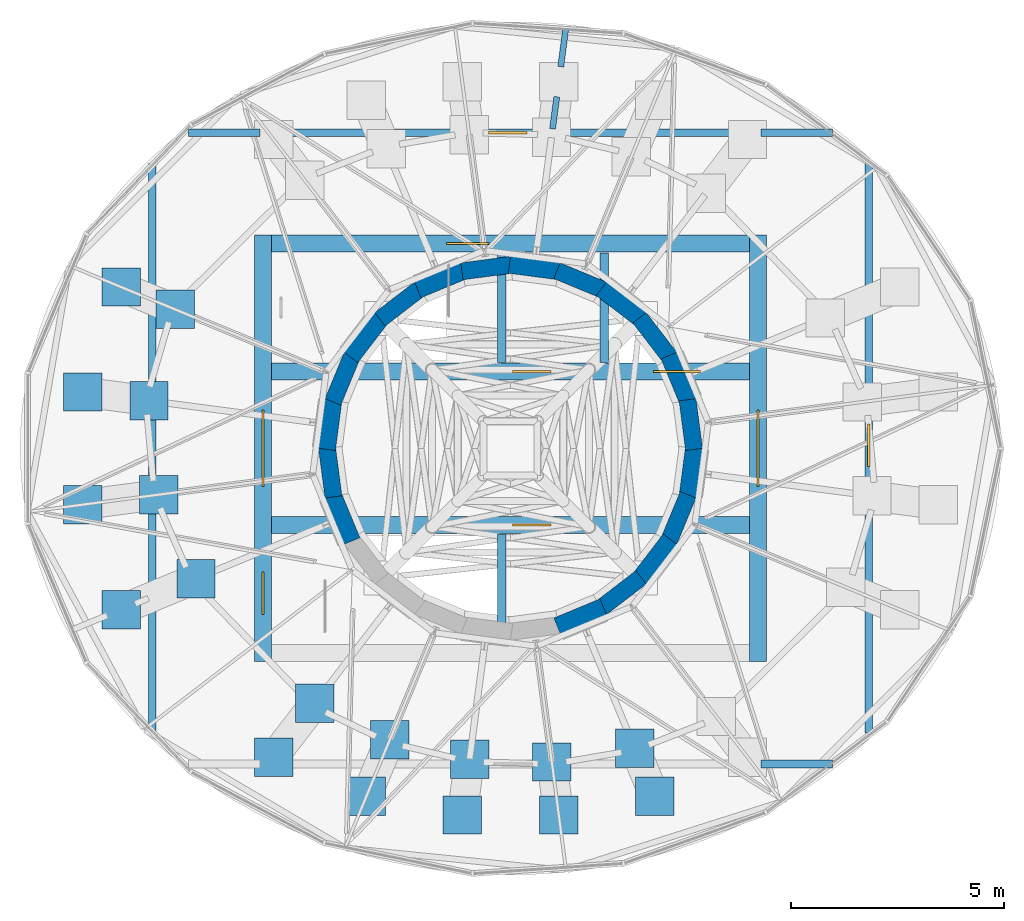
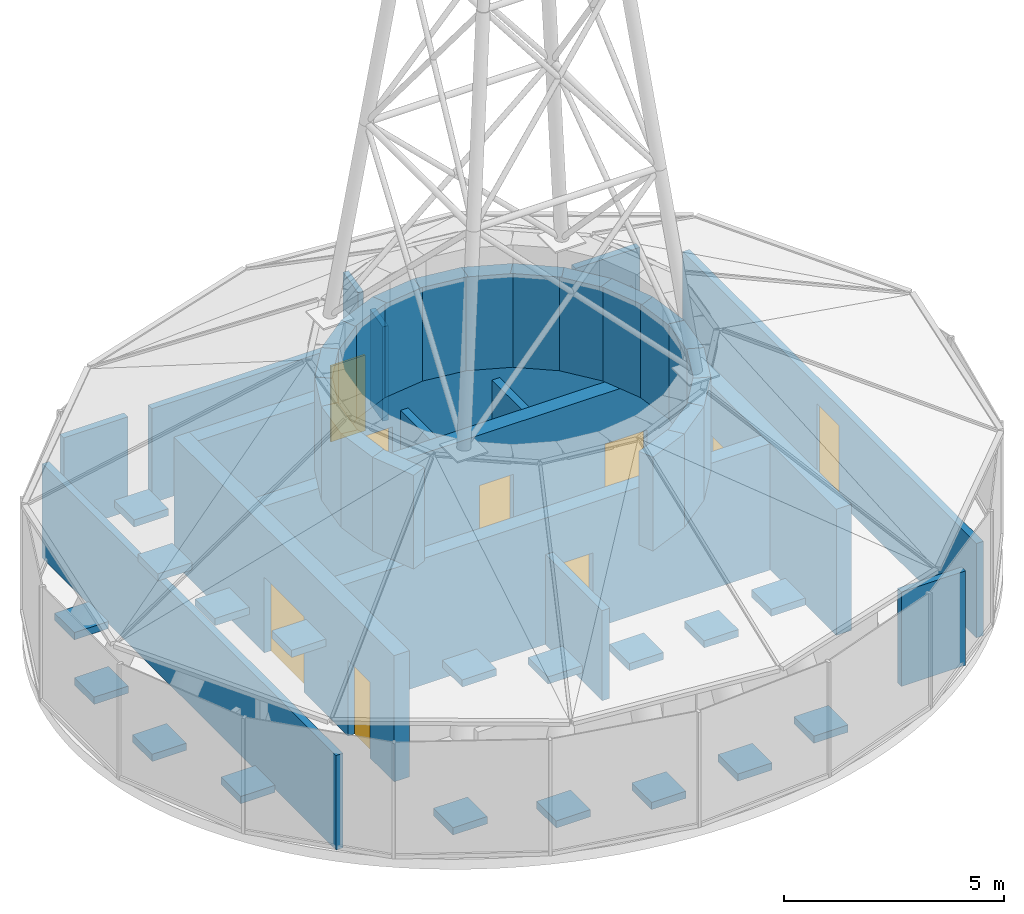
# One storey, part 7 of 10: 35 walls, 18 discrete accessories, 9 doors, 9 openings.
"""IFC4 building model written with IfcOpenShell, lengths in metres."""

from ifc_helpers import new_model, si_unit, direction, frame, frame_2d, origin, origin_2d, place, context, subcontext, project, spatial, rectangle, extrude, source, transform, mapped, material, layer, layer_set, type_object, element, fill, save


model = new_model("IFC4")

# Units and contexts
model_context = context("Model", 3, precision=1e-05, world=origin(), true_north=direction((0.0, 1.0)))
body_context = subcontext(model_context, "Body", "Model", "MODEL_VIEW")
ifc_project = project(units=[si_unit("LENGTHUNIT", "METRE"), si_unit("AREAUNIT", "SQUARE_METRE"), si_unit("VOLUMEUNIT", "CUBIC_METRE"), si_unit("PLANEANGLEUNIT", "RADIAN"), si_unit("MASSUNIT", "GRAM", prefix="KILO")], contexts=[model_context])

# Site, building, storey
site_placement = place(None, origin())
site = spatial("IfcSite", under=ifc_project, at=site_placement, CompositionType="ELEMENT")
building_placement = place(site_placement, origin())
building = spatial("IfcBuilding", under=site, at=building_placement, Name="Spindrift Exchange Tower", CompositionType="ELEMENT")
storey_placement = place(building_placement, frame((0.0, 0.0, 287.10009765625)))
storey = spatial("IfcBuildingStorey", under=building, at=storey_placement, Name="L71", CompositionType="ELEMENT", Elevation=287.10009765625)

# Wall, opening, door
ifc_material_1 = material(Name="Concrete 40 MPa", Category="concrete")
ifc_layer_1 = layer(ifc_material_1, 0.39990234375)
ifc_layer_set_1 = layer_set([ifc_layer_1], Name="RC Core Wall 400 Concrete 40 MPa")
wall_type_1 = type_object("IfcWallType", Name="RC Core Wall 400 Concrete 40 MPa", PredefinedType="SHEAR", material=ifc_layer_set_1)
wall_1_placement = place(storey_placement, frame((57.800048828125, 43.0, 0.0), z_axis=(0.0, 0.0, 1.0), x_axis=(0.0, 1.0, 0.0)))
wall_1 = element("IfcWall", 1, at=wall_1_placement, inside=storey, type_object=wall_type_1, Name="Core wall E L71", PredefinedType="SHEAR", context=body_context, shape_type="SweptSolid", body=[
    extrude(rectangle(XDim=10.0, YDim=0.39990234375, at=frame_2d((5.0, 0.0))), origin(), (0.0, 0.0, 1.0), 3.5),
])
opening_1_placement = place(wall_1_placement, frame((4.10009765625, 0.0, 0.0)))
opening_1 = element("IfcOpeningElement", 2, at=opening_1_placement, cuts=wall_1, Name="Opening L71-D2", PredefinedType="OPENING", context=body_context, shape_type="SweptSolid", body=[
    extrude(rectangle(XDim=1.800048828125, YDim=2.10009765625, at=frame_2d((0.89990234375, 1.050048828125))), frame((0.0, 0.2099609375, 0.0), z_axis=(0.0, -1.0, 0.0), x_axis=(1.0, 0.0, 0.0)), (0.0, 0.0, 1.0), 0.419921875),
])
ifc_material_2 = material(Name="Timber-core fire door", Category="wood")
door_type_1 = type_object("IfcDoorType", Name="DR-LOBBY-1800", OperationType="NOTDEFINED", PredefinedType="DOOR", material=ifc_material_2)
shared_shape_1 = source(origin(), body_context, "Body", "SweptSolid", [
    extrude(rectangle(XDim=1.800048828125, YDim=2.10009765625, at=frame_2d((0.89990234375, 1.050048828125))), frame((0.0, 0.02490234375, 0.0), z_axis=(0.0, -1.0, 0.0), x_axis=(1.0, 0.0, 0.0)), (0.0, 0.0, 1.0), 0.050048828125),
])
door_1_placement = place(opening_1_placement, origin())
door_1 = element("IfcDoor", 3, at=door_1_placement, inside=storey, type_object=door_type_1, Name="L71 Lobby door 2", OperationType="SINGLE_SWING_LEFT", OverallHeight=2.10009765625, OverallWidth=1.800048828125, PredefinedType="DOOR", context=body_context, shape_type="MappedRepresentation", body=[
    mapped(shared_shape_1, transform((0.0, 0.0, 0.0), scale=1.0)),
])
fill(opening_1, door_1)

# Wall, openings, doors
wall_2_placement = place(storey_placement, frame((46.199951171875, 53.0, 0.0), z_axis=(0.0, 0.0, 1.0), x_axis=(0.0, -1.0, 0.0)))
wall_2 = element("IfcWall", 4, at=wall_2_placement, inside=storey, type_object=wall_type_1, Name="Core wall W L71", PredefinedType="SHEAR", context=body_context, shape_type="SweptSolid", body=[
    extrude(rectangle(XDim=10.0, YDim=0.39990234375, at=frame_2d((5.0, 0.0))), origin(), (0.0, 0.0, 1.0), 3.5),
])
opening_2_placement = place(wall_2_placement, frame((4.10009765625, 0.0, 0.0)))
opening_2 = element("IfcOpeningElement", 5, at=opening_2_placement, cuts=wall_2, Name="Opening L71-D1", PredefinedType="OPENING", context=body_context, shape_type="SweptSolid", body=[
    extrude(rectangle(XDim=1.800048828125, YDim=2.10009765625, at=frame_2d((0.89990234375, 1.050048828125))), frame((0.0, 0.2099609375, 0.0), z_axis=(0.0, -1.0, 0.0), x_axis=(1.0, 0.0, 0.0)), (0.0, 0.0, 1.0), 0.419921875),
])
opening_3_placement = place(wall_2_placement, frame((7.89990234375, 0.0, 0.0)))
opening_3 = element("IfcOpeningElement", 6, at=opening_3_placement, cuts=wall_2, Name="Opening L71-D4", PredefinedType="OPENING", context=body_context, shape_type="SweptSolid", body=[
    extrude(rectangle(XDim=1.0, YDim=2.10009765625, at=frame_2d((0.5, 1.050048828125))), frame((0.0, 0.2099609375, 0.0), z_axis=(0.0, -1.0, 0.0), x_axis=(1.0, 0.0, 0.0)), (0.0, 0.0, 1.0), 0.419921875),
])
door_2_placement = place(opening_2_placement, origin())
door_2 = element("IfcDoor", 7, at=door_2_placement, inside=storey, type_object=door_type_1, Name="L71 Lobby door 1", OperationType="SINGLE_SWING_RIGHT", OverallHeight=2.10009765625, OverallWidth=1.800048828125, PredefinedType="DOOR", context=body_context, shape_type="MappedRepresentation", body=[
    mapped(shared_shape_1, transform((0.0, 0.0, 0.0), scale=1.0)),
])
fill(opening_2, door_2)
ifc_material_3 = material(Name="Steel fire door", Category="steel")
door_type_2 = type_object("IfcDoorType", Name="DR-STAIR-1000", OperationType="NOTDEFINED", PredefinedType="DOOR", material=ifc_material_3)
shared_shape_2 = source(origin(), body_context, "Body", "SweptSolid", [
    extrude(rectangle(XDim=1.0, YDim=2.10009765625, at=frame_2d((0.5, 1.050048828125))), frame((0.0, 0.02490234375, 0.0), z_axis=(0.0, -1.0, 0.0), x_axis=(1.0, 0.0, 0.0)), (0.0, 0.0, 1.0), 0.050048828125),
])
door_3_placement = place(opening_3_placement, origin())
door_3 = element("IfcDoor", 8, at=door_3_placement, inside=storey, type_object=door_type_2, Name="L71 Stair door 4", OperationType="SINGLE_SWING_LEFT", OverallHeight=2.10009765625, OverallWidth=1.0, PredefinedType="DOOR", context=body_context, shape_type="MappedRepresentation", body=[
    mapped(shared_shape_2, transform((0.0, 0.0, 0.0), scale=1.0)),
])
fill(opening_3, door_3)

# Wall, opening, door
wall_3_placement = place(storey_placement, frame((57.60009765625, 52.800048828125, 0.0), z_axis=(0.0, 0.0, 1.0), x_axis=(-1.0, 0.0, 0.0)))
wall_3 = element("IfcWall", 9, at=wall_3_placement, inside=storey, type_object=wall_type_1, Name="Core wall N L71", PredefinedType="SHEAR", context=body_context, shape_type="SweptSolid", body=[
    extrude(rectangle(XDim=11.2001953125, YDim=0.39990234375, at=frame_2d((5.60009765625, 0.0))), origin(), (0.0, 0.0, 1.0), 3.5),
])
opening_4_placement = place(wall_3_placement, frame((6.10009765625, 0.0, 0.0)))
opening_4 = element("IfcOpeningElement", 10, at=opening_4_placement, cuts=wall_3, Name="Opening L71-D3", PredefinedType="OPENING", context=body_context, shape_type="SweptSolid", body=[
    extrude(rectangle(XDim=1.0, YDim=2.10009765625, at=frame_2d((0.5, 1.050048828125))), frame((0.0, 0.2099609375, 0.0), z_axis=(0.0, -1.0, 0.0), x_axis=(1.0, 0.0, 0.0)), (0.0, 0.0, 1.0), 0.419921875),
])
door_4_placement = place(opening_4_placement, origin())
door_4 = element("IfcDoor", 11, at=door_4_placement, inside=storey, type_object=door_type_2, Name="L71 Stair door 3", OperationType="SINGLE_SWING_RIGHT", OverallHeight=2.10009765625, OverallWidth=1.0, PredefinedType="DOOR", context=body_context, shape_type="MappedRepresentation", body=[
    mapped(shared_shape_2, transform((0.0, 0.0, 0.0), scale=1.0)),
])
fill(opening_4, door_4)

# Walls
ifc_layer_2 = layer(ifc_material_1, 0.39990234375)
ifc_layer_set_2 = layer_set([ifc_layer_2], Name="RC Drum Wall 400 Concrete 40 MPa")
wall_type_2 = type_object("IfcWallType", Name="RC Drum Wall 400 Concrete 40 MPa", PredefinedType="SOLIDWALL", material=ifc_layer_set_2)
for number, where, z_axis, x_axis, name in (
    (12, (56.303466796875, 47.973876953125, 3.5), (0.0, 0.0, 1.0), (-0.130680229342, 0.991424569828, 0.0), "Plant drum wall 01"),
    (13, (56.16357421875, 49.088623046875, 3.5), (0.0, 0.0, 1.0), (-0.382682064828, 0.923880098963, 0.0), "Plant drum wall 02"),
    (14, (55.739990234375, 50.129150390625, 3.5), (0.0, 0.0, 1.0), (-0.608937365608, 0.793218308391, 0.0), "Plant drum wall 03"),
    (15, (55.061279296875, 51.0244140625, 3.5), (0.0, 0.0, 1.0), (-0.793218308391, 0.608937365608, 0.0), "Plant drum wall 04"),
    (16, (54.17431640625, 51.7138671875, 3.5), (0.0, 0.0, 1.0), (-0.923880098963, 0.382682064828, 0.0), "Plant drum wall 05"),
    (17, (53.138916015625, 52.14990234375, 3.5), (0.0, 0.0, 1.0), (-0.991424569828, 0.130680229342, 0.0), "Plant drum wall 06"),
    (18, (52.026123046875, 52.303466796875, 3.5), (0.0, 0.0, 1.0), (-0.991424569828, -0.130680229342, 0.0), "Plant drum wall 07"),
    (19, (50.911376953125, 52.16357421875, 3.5), (0.0, 0.0, 1.0), (-0.923880098963, -0.382682064828, 0.0), "Plant drum wall 08"),
    (20, (49.870849609375, 51.739990234375, 3.5), (0.0, 0.0, 1.0), (-0.793218308391, -0.608937365608, 0.0), "Plant drum wall 09"),
    (21, (48.9755859375, 51.061279296875, 3.5), (0.0, 0.0, 1.0), (-0.608937365608, -0.793218308391, 0.0), "Plant drum wall 10"),
    (22, (48.2861328125, 50.17431640625, 3.5), (0.0, 0.0, 1.0), (-0.382682064828, -0.923880098963, 0.0), "Plant drum wall 11"),
    (23, (47.85009765625, 49.138916015625, 3.5), (0.0, 0.0, 1.0), (-0.130680229342, -0.991424569828, 0.0), "Plant drum wall 12"),
    (24, (47.696533203125, 48.026123046875, 3.5), (0.0, 0.0, 1.0), (0.130680229342, -0.991424569828, 0.0), "Plant drum wall 13"),
    (25, (47.83642578125, 46.911376953125, 3.5), (0.0, 0.0, 1.0), (0.382682064828, -0.923880098963, 0.0), "Plant drum wall 14"),
    (26, (53.088623046875, 43.83642578125, 3.5), (0.0, 0.0, 1.0), (0.923880098963, 0.382682064828, 0.0), "Plant drum wall 20"),
    (27, (54.129150390625, 44.260009765625, 3.5), (0.0, 0.0, 1.0), (0.793218308391, 0.608937365608, 0.0), "Plant drum wall 21"),
    (28, (55.0244140625, 44.938720703125, 3.5), (0.0, 0.0, 1.0), (0.608937365608, 0.793218308391, 0.0), "Plant drum wall 22"),
    (29, (55.7138671875, 45.82568359375, 3.5), (0.0, 0.0, 1.0), (0.382682064828, 0.923880098963, 0.0), "Plant drum wall 23"),
    (30, (56.14990234375, 46.861083984375, 3.5), (0.0, 0.0, 1.0), (0.130680229342, 0.991424569828, 0.0), "Plant drum wall 24"),
):
    element("IfcWall", number, at=place(storey_placement, frame(where, z_axis=z_axis, x_axis=x_axis)), inside=storey, type_object=wall_type_2, Name=name, PredefinedType="SOLIDWALL", context=body_context, shape_type="SweptSolid", body=[
        extrude(rectangle(XDim=1.175048828125, YDim=0.39990234375, at=frame_2d((0.58740234375, 0.0))), origin(), (0.0, 0.0, 1.0), 2.599853515625),
    ])

# Wall, openings, doors
ifc_layer_3 = layer(ifc_material_1, 0.39990234375)
ifc_layer_set_3 = layer_set([ifc_layer_3], Name="RC Spine Wall 400 Concrete 40 MPa")
wall_type_3 = type_object("IfcWallType", Name="RC Spine Wall 400 Concrete 40 MPa", PredefinedType="SHEAR", material=ifc_layer_set_3)
wall_4_placement = place(storey_placement, frame((46.39990234375, 49.800048828125, 0.0), z_axis=(0.0, 0.0, 1.0), x_axis=(1.0, 0.0, 0.0)))
wall_4 = element("IfcWall", 31, at=wall_4_placement, inside=storey, type_object=wall_type_3, Name="Core spine wall N L71", PredefinedType="SHEAR", context=body_context, shape_type="SweptSolid", body=[
    extrude(rectangle(XDim=11.2001953125, YDim=0.39990234375, at=frame_2d((5.60009765625, 0.0))), origin(), (0.0, 0.0, 1.0), 3.5),
])
opening_5_placement = place(wall_4_placement, frame((8.949951171875, 0.0, 0.0)))
opening_5 = element("IfcOpeningElement", 32, at=opening_5_placement, cuts=wall_4, Name="Opening L71-D5", PredefinedType="OPENING", context=body_context, shape_type="SweptSolid", body=[
    extrude(rectangle(XDim=1.10009765625, YDim=2.10009765625, at=frame_2d((0.550048828125, 1.050048828125))), frame((0.0, 0.2099609375, 0.0), z_axis=(0.0, -1.0, 0.0), x_axis=(1.0, 0.0, 0.0)), (0.0, 0.0, 1.0), 0.419921875),
])
opening_6_placement = place(wall_4_placement, frame((5.64990234375, 0.0, 0.0)))
opening_6 = element("IfcOpeningElement", 33, at=opening_6_placement, cuts=wall_4, Name="Opening L71-D9", PredefinedType="OPENING", context=body_context, shape_type="SweptSolid", body=[
    extrude(rectangle(XDim=0.89990234375, YDim=2.10009765625, at=frame_2d((0.449951171875, 1.050048828125))), frame((0.0, 0.2099609375, 0.0), z_axis=(0.0, -1.0, 0.0), x_axis=(1.0, 0.0, 0.0)), (0.0, 0.0, 1.0), 0.419921875),
])
ifc_material_4 = material(Name="Stainless steel landing door", Category="steel")
door_type_3 = type_object("IfcDoorType", Name="DR-LANDING-1100-SL", OperationType="DOUBLE_DOOR_SLIDING", PredefinedType="USERDEFINED", material=ifc_material_4)
shared_shape_3 = source(origin(), body_context, "Body", "SweptSolid", [
    extrude(rectangle(XDim=1.10009765625, YDim=2.10009765625, at=frame_2d((0.550048828125, 1.050048828125))), frame((0.0, 0.02490234375, 0.0), z_axis=(0.0, -1.0, 0.0), x_axis=(1.0, 0.0, 0.0)), (0.0, 0.0, 1.0), 0.050048828125),
])
door_5_placement = place(opening_5_placement, origin())
door_5 = element("IfcDoor", 34, at=door_5_placement, inside=storey, type_object=door_type_3, Name="L71 Lift landing door 5", ObjectType="LANDING DOOR", OperationType="DOUBLE_DOOR_SLIDING", OverallHeight=2.10009765625, OverallWidth=1.10009765625, PredefinedType="USERDEFINED", context=body_context, shape_type="MappedRepresentation", body=[
    mapped(shared_shape_3, transform((0.0, 0.0, 0.0), scale=1.0)),
])
fill(opening_5, door_5)
ifc_material_5 = material(Name="Steel access door", Category="steel")
door_type_4 = type_object("IfcDoorType", Name="DR-RISER-900", OperationType="NOTDEFINED", PredefinedType="DOOR", material=ifc_material_5)
shared_shape_4 = source(origin(), body_context, "Body", "SweptSolid", [
    extrude(rectangle(XDim=0.89990234375, YDim=2.10009765625, at=frame_2d((0.449951171875, 1.050048828125))), frame((0.0, 0.02490234375, 0.0), z_axis=(0.0, -1.0, 0.0), x_axis=(1.0, 0.0, 0.0)), (0.0, 0.0, 1.0), 0.050048828125),
])
door_6_placement = place(opening_6_placement, origin())
door_6 = element("IfcDoor", 35, at=door_6_placement, inside=storey, type_object=door_type_4, Name="L71 Riser door 9", OperationType="SINGLE_SWING_LEFT", OverallHeight=2.10009765625, OverallWidth=0.89990234375, PredefinedType="DOOR", context=body_context, shape_type="MappedRepresentation", body=[
    mapped(shared_shape_4, transform((0.0, 0.0, 0.0), scale=1.0)),
])
fill(opening_6, door_6)

# Wall, opening, door
wall_5_placement = place(storey_placement, frame((46.39990234375, 46.199951171875, 0.0), z_axis=(0.0, 0.0, 1.0), x_axis=(1.0, 0.0, 0.0)))
wall_5 = element("IfcWall", 36, at=wall_5_placement, inside=storey, type_object=wall_type_3, Name="Core spine wall S L71", PredefinedType="SHEAR", context=body_context, shape_type="SweptSolid", body=[
    extrude(rectangle(XDim=11.2001953125, YDim=0.39990234375, at=frame_2d((5.60009765625, 0.0))), origin(), (0.0, 0.0, 1.0), 3.5),
])
opening_7_placement = place(wall_5_placement, frame((5.64990234375, 0.0, 0.0)))
opening_7 = element("IfcOpeningElement", 37, at=opening_7_placement, cuts=wall_5, Name="Opening L71-D10", PredefinedType="OPENING", context=body_context, shape_type="SweptSolid", body=[
    extrude(rectangle(XDim=0.89990234375, YDim=2.10009765625, at=frame_2d((0.449951171875, 1.050048828125))), frame((0.0, 0.2099609375, 0.0), z_axis=(0.0, -1.0, 0.0), x_axis=(1.0, 0.0, 0.0)), (0.0, 0.0, 1.0), 0.419921875),
])
door_7_placement = place(opening_7_placement, origin())
door_7 = element("IfcDoor", 38, at=door_7_placement, inside=storey, type_object=door_type_4, Name="L71 Riser door 10", OperationType="SINGLE_SWING_RIGHT", OverallHeight=2.10009765625, OverallWidth=0.89990234375, PredefinedType="DOOR", context=body_context, shape_type="MappedRepresentation", body=[
    mapped(shared_shape_4, transform((0.0, 0.0, 0.0), scale=1.0)),
])
fill(opening_7, door_7)

# Walls
ifc_material_6 = material(Name="Fire-rated plasterboard partition", Category="gypsum")
ifc_layer_4 = layer(ifc_material_6, 0.179931640625)
ifc_layer_set_4 = layer_set([ifc_layer_4], Name="W-CORR-180")
wall_type_4 = type_object("IfcWallType", Name="W-CORR-180", PredefinedType="PARTITIONING", material=ifc_layer_set_4)
wall_6_placement = place(storey_placement, frame((43.60009765625, 54.677001953125, 0.0), z_axis=(0.0, 0.0, 1.0), x_axis=(0.0, -1.0, 0.0)))
element("IfcWall", 39, at=wall_6_placement, inside=storey, type_object=wall_type_4, Name="L71 Partition wall 4", PredefinedType="PARTITIONING", context=body_context, shape_type="SweptSolid", body=[
    extrude(rectangle(XDim=13.35400390625, YDim=0.179931640625, at=frame_2d((6.677001953125, 0.0))), origin(), (0.0, 0.0, 1.0), 2.619873046875),
])
wall_7_placement = place(storey_placement, frame((59.5537109375, 55.39990234375, 0.0), z_axis=(0.0, 0.0, 1.0), x_axis=(-1.0, 0.0, 0.0)))
element("IfcWall", 40, at=wall_7_placement, inside=storey, type_object=wall_type_4, Name="L71 Partition wall 11", PredefinedType="PARTITIONING", context=body_context, shape_type="SweptSolid", body=[
    extrude(rectangle(XDim=1.682373046875, YDim=0.179931640625, at=frame_2d((0.84130859375, 0.0))), origin(), (0.0, 0.0, 1.0), 2.619873046875),
])
ifc_layer_5 = layer(ifc_material_6, 0.139892578125)
ifc_layer_set_5 = layer_set([ifc_layer_5], Name="W-PLANT-140")
wall_type_5 = type_object("IfcWallType", Name="W-PLANT-140", PredefinedType="PARTITIONING", material=ifc_layer_set_5)
wall_8_placement = place(storey_placement, frame((53.177978515625, 56.94775390625, 0.0), z_axis=(0.0, 0.0, 1.0), x_axis=(0.130647017199, 0.991428946973, 0.0)))
element("IfcWall", 41, at=wall_8_placement, inside=storey, type_object=wall_type_5, Name="L71 Partition wall 13", PredefinedType="PARTITIONING", context=body_context, shape_type="SweptSolid", body=[
    extrude(rectangle(XDim=0.8857421875, YDim=0.139892578125, at=frame_2d((0.44287109375, 0.0))), origin(), (0.0, 0.0, 1.0), 2.619873046875),
])
wall_9_placement = place(storey_placement, frame((52.986083984375, 55.489990234375, 0.0), z_axis=(0.0, 0.0, 1.0), x_axis=(0.130587308426, 0.991436813356, 0.0)))
element("IfcWall", 42, at=wall_9_placement, inside=storey, type_object=wall_type_5, Name="L71 Partition wall 14", PredefinedType="PARTITIONING", context=body_context, shape_type="SweptSolid", body=[
    extrude(rectangle(XDim=0.760986328125, YDim=0.139892578125, at=frame_2d((0.38037109375, 0.0))), origin(), (0.0, 0.0, 1.0), 2.619873046875),
])

# Wall, opening, door
ifc_layer_6 = layer(ifc_material_6, 0.179931640625)
ifc_layer_set_6 = layer_set([ifc_layer_6], Name="W-PLANT-180")
wall_type_6 = type_object("IfcWallType", Name="W-PLANT-180", PredefinedType="PARTITIONING", material=ifc_layer_set_6)
wall_10_placement = place(storey_placement, frame((60.39990234375, 54.677001953125, 0.0), z_axis=(0.0, 0.0, 1.0), x_axis=(0.0, -1.0, 0.0)))
wall_10 = element("IfcWall", 43, at=wall_10_placement, inside=storey, type_object=wall_type_6, Name="L71 Partition wall 5", PredefinedType="PARTITIONING", context=body_context, shape_type="SweptSolid", body=[
    extrude(rectangle(XDim=13.35400390625, YDim=0.179931640625, at=frame_2d((6.677001953125, 0.0))), origin(), (0.0, 0.0, 1.0), 2.619873046875),
])
opening_8_placement = place(wall_10_placement, frame((6.10400390625, 0.0, 0.0)))
opening_8 = element("IfcOpeningElement", 44, at=opening_8_placement, cuts=wall_10, Name="Opening L71-D7", PredefinedType="OPENING", context=body_context, shape_type="SweptSolid", body=[
    extrude(rectangle(XDim=1.0, YDim=2.10009765625, at=frame_2d((0.5, 1.050048828125))), frame((0.0, 0.099853515625, 0.0), z_axis=(0.0, -1.0, 0.0), x_axis=(1.0, 0.0, 0.0)), (0.0, 0.0, 1.0), 0.199951171875),
])
door_type_5 = type_object("IfcDoorType", Name="DR-ROOM-1000", OperationType="NOTDEFINED", PredefinedType="DOOR", material=ifc_material_2)
shared_shape_5 = source(origin(), body_context, "Body", "SweptSolid", [
    extrude(rectangle(XDim=1.0, YDim=2.10009765625, at=frame_2d((0.5, 1.050048828125))), frame((0.0, 0.02490234375, 0.0), z_axis=(0.0, -1.0, 0.0), x_axis=(1.0, 0.0, 0.0)), (0.0, 0.0, 1.0), 0.050048828125),
])
door_8_placement = place(opening_8_placement, origin())
door_8 = element("IfcDoor", 45, at=door_8_placement, inside=storey, type_object=door_type_5, Name="L71 Door 7", OperationType="SINGLE_SWING_LEFT", OverallHeight=2.10009765625, OverallWidth=1.0, PredefinedType="DOOR", context=body_context, shape_type="MappedRepresentation", body=[
    mapped(shared_shape_5, transform((0.0, 0.0, 0.0), scale=1.0)),
])
fill(opening_8, door_8)

wall_11_placement = place(storey_placement, frame((46.76123046875, 55.39990234375, 0.0), z_axis=(0.0, 0.0, 1.0), x_axis=(1.0, 0.0, 0.0)))
wall_11 = element("IfcWall", 46, at=wall_11_placement, inside=storey, type_object=wall_type_6, Name="L71 Partition wall 7", PredefinedType="PARTITIONING", context=body_context, shape_type="SweptSolid", body=[
    extrude(rectangle(XDim=10.4775390625, YDim=0.179931640625, at=frame_2d((5.23876953125, 0.0))), origin(), (0.0, 0.0, 1.0), 2.619873046875),
])
opening_9_placement = place(wall_11_placement, frame((4.7275390625, 0.0, 0.0)))
opening_9 = element("IfcOpeningElement", 47, at=opening_9_placement, cuts=wall_11, Name="Opening L71-D8", PredefinedType="OPENING", context=body_context, shape_type="SweptSolid", body=[
    extrude(rectangle(XDim=0.89990234375, YDim=2.10009765625, at=frame_2d((0.449951171875, 1.050048828125))), frame((0.0, 0.099853515625, 0.0), z_axis=(0.0, -1.0, 0.0), x_axis=(1.0, 0.0, 0.0)), (0.0, 0.0, 1.0), 0.199951171875),
])
door_type_6 = type_object("IfcDoorType", Name="DR-ROOM-900", OperationType="NOTDEFINED", PredefinedType="DOOR", material=ifc_material_2)
shared_shape_6 = source(origin(), body_context, "Body", "SweptSolid", [
    extrude(rectangle(XDim=0.89990234375, YDim=2.10009765625, at=frame_2d((0.449951171875, 1.050048828125))), frame((0.0, 0.02490234375, 0.0), z_axis=(0.0, -1.0, 0.0), x_axis=(1.0, 0.0, 0.0)), (0.0, 0.0, 1.0), 0.050048828125),
])
door_9_placement = place(opening_9_placement, origin())
door_9 = element("IfcDoor", 48, at=door_9_placement, inside=storey, type_object=door_type_6, Name="L71 Door 8", OperationType="SINGLE_SWING_RIGHT", OverallHeight=2.10009765625, OverallWidth=0.89990234375, PredefinedType="DOOR", context=body_context, shape_type="MappedRepresentation", body=[
    mapped(shared_shape_6, transform((0.0, 0.0, 0.0), scale=1.0)),
])
fill(opening_9, door_9)

# Walls
for number, where, z_axis, x_axis, name in (
    (49, (46.128662109375, 55.39990234375, 0.0), (0.0, 0.0, 1.0), (-1.0, 0.0, 0.0), "L71 Partition wall 9"),
    (50, (57.871337890625, 40.60009765625, 0.0), (0.0, 0.0, 1.0), (1.0, 0.0, 0.0), "L71 Partition wall 10"),
):
    element("IfcWall", number, at=place(storey_placement, frame(where, z_axis=z_axis, x_axis=x_axis)), inside=storey, type_object=wall_type_6, Name=name, PredefinedType="PARTITIONING", context=body_context, shape_type="SweptSolid", body=[
        extrude(rectangle(XDim=1.682373046875, YDim=0.179931640625, at=frame_2d((0.84130859375, 0.0))), origin(), (0.0, 0.0, 1.0), 2.619873046875),
    ])
ifc_layer_7 = layer(ifc_material_1, 0.199951171875)
ifc_layer_set_7 = layer_set([ifc_layer_7], Name="W-SHAFT-200")
wall_type_7 = type_object("IfcWallType", Name="W-SHAFT-200", PredefinedType="SOLIDWALL", material=ifc_layer_set_7)
wall_12_placement = place(storey_placement, frame((54.199951171875, 52.580078125, 0.0), z_axis=(0.0, 0.0, 1.0), x_axis=(0.0, -1.0, 0.0)))
element("IfcWall", 51, at=wall_12_placement, inside=storey, type_object=wall_type_7, Name="L71 Shaft wall 3", PredefinedType="SOLIDWALL", context=body_context, shape_type="SweptSolid", body=[
    extrude(rectangle(XDim=2.570068359375, YDim=0.199951171875, at=frame_2d((1.28515625, 0.0))), origin(), (0.0, 0.0, 1.0), 2.5),
])
ifc_layer_8 = layer(ifc_material_1, 0.199951171875)
ifc_layer_set_8 = layer_set([ifc_layer_8], Name="W-SHAFT-200-LB")
wall_type_8 = type_object("IfcWallType", Name="W-SHAFT-200-LB", PredefinedType="SOLIDWALL", material=ifc_layer_set_8)
for number, where, z_axis, x_axis, name in (
    (52, (51.800048828125, 43.419921875, 0.0), (0.0, 0.0, 1.0), (0.0, 1.0, 0.0), "L71 Shaft wall 1"),
    (53, (51.800048828125, 50.010009765625, 0.0), (0.0, 0.0, 1.0), (0.0, 1.0, 0.0), "L71 Shaft wall 2"),
):
    element("IfcWall", number, at=place(storey_placement, frame(where, z_axis=z_axis, x_axis=x_axis)), inside=storey, type_object=wall_type_8, Name=name, PredefinedType="SOLIDWALL", context=body_context, shape_type="SweptSolid", body=[
        extrude(rectangle(XDim=2.570068359375, YDim=0.199951171875, at=frame_2d((1.28515625, 0.0))), origin(), (0.0, 0.0, 1.0), 2.5),
    ])

# Discrete accessories
ifc_material_7 = material(Name="Steel Grade 350", Category="steel")
ifc_layer_9 = layer(ifc_material_7, 0.89990234375)
ifc_layer_set_9 = layer_set([ifc_layer_9], Name="Bearing shoe 900x900x200 Steel Grade 350")
discrete_accessory_type = type_object("IfcDiscreteAccessoryType", Name="Bearing shoe 900x900x200 Steel Grade 350", PredefinedType="USERDEFINED", material=ifc_layer_set_9)
shared_shape_7 = source(origin(), body_context, "Body", "SweptSolid", [
    extrude(rectangle(XDim=0.89990234375, YDim=0.89990234375, at=origin_2d()), origin(), (0.0, 0.0, 1.0), 0.199951171875),
])
for number, where, z_axis, x_axis, name in (
    (54, (42.87109375, 51.78125, 0.140625), (0.0, 0.0, 1.0), (1.0, 0.0, 0.0), "L71 bearing shoe 11 foot"),
    (55, (44.136962890625, 51.257080078125, 3.140625), (0.0, 0.0, 1.0), (1.0, 0.0, 0.0), "L71 bearing shoe 11 head"),
    (56, (41.968994140625, 49.320556640625, 0.1572265625), (0.0, 0.0, 1.0), (1.0, 0.0, 0.0), "L71 bearing shoe 12 foot"),
    (57, (43.52490234375, 49.11572265625, 3.1572265625), (0.0, 0.0, 1.0), (1.0, 0.0, 0.0), "L71 bearing shoe 12 head"),
    (58, (41.968994140625, 46.679443359375, 0.17431640625), (0.0, 0.0, 1.0), (1.0, 0.0, 0.0), "L71 bearing shoe 13 foot"),
    (59, (43.751220703125, 46.9140625, 3.17431640625), (0.0, 0.0, 1.0), (1.0, 0.0, 0.0), "L71 bearing shoe 13 head"),
    (60, (42.87109375, 44.21875, 0.181640625), (0.0, 0.0, 1.0), (1.0, 0.0, 0.0), "L71 bearing shoe 14 foot"),
    (61, (44.625, 44.945068359375, 3.181640625), (0.0, 0.0, 1.0), (1.0, 0.0, 0.0), "L71 bearing shoe 14 head"),
    (62, (46.44482421875, 40.760498046875, 0.15869140625), (0.0, 0.0, 1.0), (1.0, 0.0, 0.0), "L71 bearing shoe 16 foot"),
    (63, (47.41259765625, 42.021484375, 3.15869140625), (0.0, 0.0, 1.0), (1.0, 0.0, 0.0), "L71 bearing shoe 16 head"),
    (64, (48.621337890625, 39.84326171875, 0.1455078125), (0.0, 0.0, 1.0), (1.0, 0.0, 0.0), "L71 bearing shoe 17 foot"),
    (65, (49.168701171875, 41.16455078125, 3.1455078125), (0.0, 0.0, 1.0), (1.0, 0.0, 0.0), "L71 bearing shoe 17 head"),
    (66, (50.868408203125, 39.40380859375, 0.13623046875), (0.0, 0.0, 1.0), (1.0, 0.0, 0.0), "L71 bearing shoe 18 foot"),
    (67, (51.0400390625, 40.708740234375, 3.13623046875), (0.0, 0.0, 1.0), (1.0, 0.0, 0.0), "L71 bearing shoe 18 head"),
    (68, (53.131591796875, 39.40380859375, 0.130859375), (0.0, 0.0, 1.0), (1.0, 0.0, 0.0), "L71 bearing shoe 19 foot"),
    (69, (52.968017578125, 40.6474609375, 3.130859375), (0.0, 0.0, 1.0), (1.0, 0.0, 0.0), "L71 bearing shoe 19 head"),
    (70, (55.378662109375, 39.84326171875, 0.1279296875), (0.0, 0.0, 1.0), (1.0, 0.0, 0.0), "L71 bearing shoe 20 foot"),
    (71, (54.910888671875, 40.972900390625, 3.1279296875), (0.0, 0.0, 1.0), (1.0, 0.0, 0.0), "L71 bearing shoe 20 head"),
):
    element("IfcDiscreteAccessory", number, at=place(storey_placement, frame(where, z_axis=z_axis, x_axis=x_axis)), inside=storey, type_object=discrete_accessory_type, Name=name, ObjectType="Bearing shoe", PredefinedType="USERDEFINED", context=body_context, shape_type="MappedRepresentation", body=[
        mapped(shared_shape_7, transform((0.0, 0.0, 0.0), scale=1.0)),
    ])

save(model, "model.ifc")
